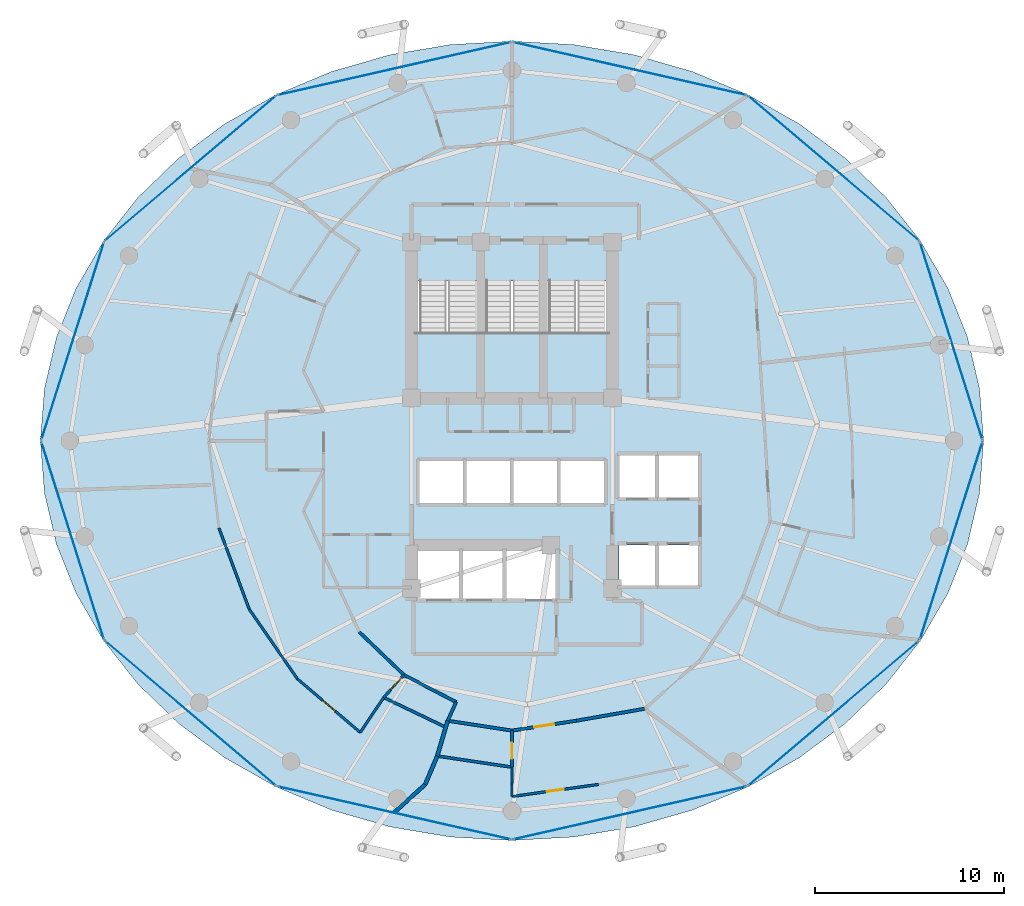
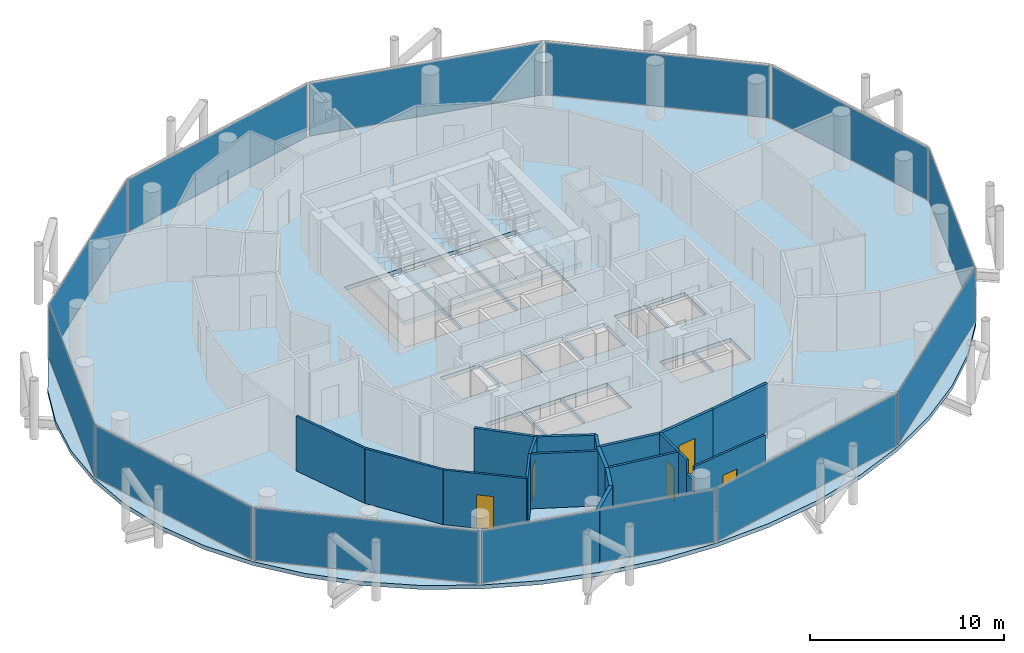
# One storey, part 21 of 26: 20 walls, 12 plates, 5 doors, 4 slabs, 5 openings, 15 elements without a shape of their own.
"""IFC4 building model written with IfcOpenShell, lengths in metres."""

from ifc_helpers import new_model, si_unit, direction, frame, frame_2d, origin, origin_2d, place, context, subcontext, project, spatial, polyline, rectangle, outline, extrude, material, layer, layer_set, type_object, element, fill, aggregate, save


model = new_model("IFC4")

# Units and contexts
model_context = context("Model", 3, precision=1e-05, world=origin(), true_north=direction((0.0, 1.0)))
body_context = subcontext(model_context, "Body", "Model", "MODEL_VIEW")
ifc_project = project(units=[si_unit("LENGTHUNIT", "METRE"), si_unit("AREAUNIT", "SQUARE_METRE"), si_unit("VOLUMEUNIT", "CUBIC_METRE"), si_unit("PLANEANGLEUNIT", "RADIAN"), si_unit("MASSUNIT", "GRAM", prefix="KILO")], contexts=[model_context])

# Site, building, storey
site_placement = place(None, origin())
site = spatial("IfcSite", under=ifc_project, at=site_placement, CompositionType="ELEMENT")
building_placement = place(site_placement, origin())
building = spatial("IfcBuilding", under=site, at=building_placement, Name="Nuhasar Tower", CompositionType="ELEMENT")
storey_placement = place(building_placement, frame((0.0, 0.0, 133.050048828125)))
storey = spatial("IfcBuildingStorey", under=building, at=storey_placement, Name="L31", CompositionType="ELEMENT", Elevation=133.050048828125)

# Curtain wall, plate
ifc_material_1 = material(Name="Aluminium 6063-T6", Category="aluminium")
ifc_layer_1 = layer(ifc_material_1, 0.199951171875)
ifc_layer_set_1 = layer_set([ifc_layer_1], Name="Aluminium 6063-T6")
curtain_wall_type = type_object("IfcCurtainWallType", Name="CW-Z2-HTL", PredefinedType="NOTDEFINED", material=ifc_layer_set_1)
curtain_wall_1_placement = place(storey_placement, origin())
curtain_wall_1 = element("IfcCurtainWall", 1, at=curtain_wall_1_placement, inside=storey, type_object=curtain_wall_type, Name="L31 Unitised Curtain Wall 01", PredefinedType="NOTDEFINED")
ifc_material_2 = material(Name="Glass Double Low-E", Category="glass")
ifc_layer_2 = layer(ifc_material_2, 0.028076171875)
ifc_layer_set_2 = layer_set([ifc_layer_2], Name="Glass Double Low-E")
plate_type = type_object("IfcPlateType", Name="CW-PANEL-GLZ", PredefinedType="CURTAIN_PANEL", material=ifc_layer_set_2)
plate_1_placement = place(storey_placement, frame((62.194580078125, 32.06494140625, 0.06982421875), z_axis=(0.0, 0.0, 1.0), x_axis=(-0.301603667577, 0.953433389233, 0.0)))
plate_1 = element("IfcPlate", 2, at=plate_1_placement, type_object=plate_type, Name="CW-Z2 panel 1.1", PredefinedType="CURTAIN_PANEL", context=body_context, shape_type="SweptSolid", body=[
    extrude(rectangle(XDim=10.904296875, YDim=0.028076171875, at=origin_2d()), origin(), (0.0, 0.0, 1.0), 3.31005859375),
])
aggregate(curtain_wall_1, [plate_1])

curtain_wall_2_placement = place(storey_placement, origin())
curtain_wall_2 = element("IfcCurtainWall", 3, at=curtain_wall_2_placement, inside=storey, type_object=curtain_wall_type, Name="L31 Unitised Curtain Wall 02", PredefinedType="NOTDEFINED")
plate_2_placement = place(storey_placement, frame((55.9794921875, 41.18408203125, 0.06982421875), z_axis=(0.0, 0.0, 1.0), x_axis=(-0.763020370292, 0.646374438324, 0.0)))
plate_2 = element("IfcPlate", 4, at=plate_2_placement, type_object=plate_type, Name="CW-Z2 panel 1.1", PredefinedType="CURTAIN_PANEL", context=body_context, shape_type="SweptSolid", body=[
    extrude(rectangle(XDim=11.784912109375, YDim=0.028076171875, at=origin_2d()), origin(), (0.0, 0.0, 1.0), 3.31005859375),
])
aggregate(curtain_wall_2, [plate_2])

curtain_wall_3_placement = place(storey_placement, origin())
curtain_wall_3 = element("IfcCurtainWall", 5, at=curtain_wall_3_placement, inside=storey, type_object=curtain_wall_type, Name="L31 Unitised Curtain Wall 03", PredefinedType="NOTDEFINED")
plate_3_placement = place(storey_placement, frame((45.215087890625, 46.448974609375, 0.06982421875), z_axis=(0.0, 0.0, 1.0), x_axis=(-0.975183694221, 0.22139729566, 0.0)))
plate_3 = element("IfcPlate", 6, at=plate_3_placement, type_object=plate_type, Name="CW-Z2 panel 1.1", PredefinedType="CURTAIN_PANEL", context=body_context, shape_type="SweptSolid", body=[
    extrude(rectangle(XDim=12.606201171875, YDim=0.028076171875, at=origin_2d()), origin(), (0.0, 0.0, 1.0), 3.31005859375),
])
aggregate(curtain_wall_3, [plate_3])

curtain_wall_4_placement = place(storey_placement, origin())
curtain_wall_4 = element("IfcCurtainWall", 7, at=curtain_wall_4_placement, inside=storey, type_object=curtain_wall_type, Name="L31 Unitised Curtain Wall 04", PredefinedType="NOTDEFINED")
plate_4_placement = place(storey_placement, frame((32.784912109375, 46.448974609375, 0.06982421875), z_axis=(0.0, 0.0, 1.0), x_axis=(-0.975183694221, -0.22139729566, 0.0)))
plate_4 = element("IfcPlate", 8, at=plate_4_placement, type_object=plate_type, Name="CW-Z2 panel 1.1", PredefinedType="CURTAIN_PANEL", context=body_context, shape_type="SweptSolid", body=[
    extrude(rectangle(XDim=12.606201171875, YDim=0.028076171875, at=origin_2d()), origin(), (0.0, 0.0, 1.0), 3.31005859375),
])
aggregate(curtain_wall_4, [plate_4])

curtain_wall_5_placement = place(storey_placement, origin())
curtain_wall_5 = element("IfcCurtainWall", 9, at=curtain_wall_5_placement, inside=storey, type_object=curtain_wall_type, Name="L31 Unitised Curtain Wall 05", PredefinedType="NOTDEFINED")
plate_5_placement = place(storey_placement, frame((22.0205078125, 41.18408203125, 0.06982421875), z_axis=(0.0, 0.0, 1.0), x_axis=(-0.763020370292, -0.646374438324, 0.0)))
plate_5 = element("IfcPlate", 10, at=plate_5_placement, type_object=plate_type, Name="CW-Z2 panel 1.1", PredefinedType="CURTAIN_PANEL", context=body_context, shape_type="SweptSolid", body=[
    extrude(rectangle(XDim=11.784912109375, YDim=0.028076171875, at=origin_2d()), origin(), (0.0, 0.0, 1.0), 3.31005859375),
])
aggregate(curtain_wall_5, [plate_5])

curtain_wall_6_placement = place(storey_placement, origin())
curtain_wall_6 = element("IfcCurtainWall", 11, at=curtain_wall_6_placement, inside=storey, type_object=curtain_wall_type, Name="L31 Unitised Curtain Wall 06", PredefinedType="NOTDEFINED")
plate_6_placement = place(storey_placement, frame((15.805419921875, 32.06494140625, 0.06982421875), z_axis=(0.0, 0.0, 1.0), x_axis=(-0.301603667577, -0.953433389233, 0.0)))
plate_6 = element("IfcPlate", 12, at=plate_6_placement, type_object=plate_type, Name="CW-Z2 panel 1.1", PredefinedType="CURTAIN_PANEL", context=body_context, shape_type="SweptSolid", body=[
    extrude(rectangle(XDim=10.904296875, YDim=0.028076171875, at=origin_2d()), origin(), (0.0, 0.0, 1.0), 3.31005859375),
])
aggregate(curtain_wall_6, [plate_6])

curtain_wall_7_placement = place(storey_placement, origin())
curtain_wall_7 = element("IfcCurtainWall", 13, at=curtain_wall_7_placement, inside=storey, type_object=curtain_wall_type, Name="L31 Unitised Curtain Wall 07", PredefinedType="NOTDEFINED")
plate_7_placement = place(storey_placement, frame((15.805419921875, 21.534912109375, 0.06982421875), z_axis=(0.0, 0.0, 1.0), x_axis=(0.301603667577, -0.953433389233, 0.0)))
plate_7 = element("IfcPlate", 14, at=plate_7_placement, type_object=plate_type, Name="CW-Z2 panel 1.1", PredefinedType="CURTAIN_PANEL", context=body_context, shape_type="SweptSolid", body=[
    extrude(rectangle(XDim=10.904296875, YDim=0.028076171875, at=origin_2d()), origin(), (0.0, 0.0, 1.0), 3.31005859375),
])
aggregate(curtain_wall_7, [plate_7])

curtain_wall_8_placement = place(storey_placement, origin())
curtain_wall_8 = element("IfcCurtainWall", 15, at=curtain_wall_8_placement, inside=storey, type_object=curtain_wall_type, Name="L31 Unitised Curtain Wall 08", PredefinedType="NOTDEFINED")
plate_8_placement = place(storey_placement, frame((22.0205078125, 12.416015625, 0.06982421875), z_axis=(0.0, 0.0, 1.0), x_axis=(0.763020370292, -0.646374438324, 0.0)))
plate_8 = element("IfcPlate", 16, at=plate_8_placement, type_object=plate_type, Name="CW-Z2 panel 1.1", PredefinedType="CURTAIN_PANEL", context=body_context, shape_type="SweptSolid", body=[
    extrude(rectangle(XDim=11.784912109375, YDim=0.028076171875, at=origin_2d()), origin(), (0.0, 0.0, 1.0), 3.31005859375),
])
aggregate(curtain_wall_8, [plate_8])

curtain_wall_9_placement = place(storey_placement, origin())
curtain_wall_9 = element("IfcCurtainWall", 17, at=curtain_wall_9_placement, inside=storey, type_object=curtain_wall_type, Name="L31 Unitised Curtain Wall 09", PredefinedType="NOTDEFINED")
plate_9_placement = place(storey_placement, frame((32.784912109375, 7.15087890625, 0.06982421875), z_axis=(0.0, 0.0, 1.0), x_axis=(0.975183694221, -0.22139729566, 0.0)))
plate_9 = element("IfcPlate", 18, at=plate_9_placement, type_object=plate_type, Name="CW-Z2 panel 1.1", PredefinedType="CURTAIN_PANEL", context=body_context, shape_type="SweptSolid", body=[
    extrude(rectangle(XDim=12.606201171875, YDim=0.028076171875, at=origin_2d()), origin(), (0.0, 0.0, 1.0), 3.31005859375),
])
aggregate(curtain_wall_9, [plate_9])

curtain_wall_10_placement = place(storey_placement, origin())
curtain_wall_10 = element("IfcCurtainWall", 19, at=curtain_wall_10_placement, inside=storey, type_object=curtain_wall_type, Name="L31 Unitised Curtain Wall 10", PredefinedType="NOTDEFINED")
plate_10_placement = place(storey_placement, frame((45.215087890625, 7.15087890625, 0.06982421875), z_axis=(0.0, 0.0, 1.0), x_axis=(0.975183694221, 0.22139729566, 0.0)))
plate_10 = element("IfcPlate", 20, at=plate_10_placement, type_object=plate_type, Name="CW-Z2 panel 1.1", PredefinedType="CURTAIN_PANEL", context=body_context, shape_type="SweptSolid", body=[
    extrude(rectangle(XDim=12.606201171875, YDim=0.028076171875, at=origin_2d()), origin(), (0.0, 0.0, 1.0), 3.31005859375),
])
aggregate(curtain_wall_10, [plate_10])

curtain_wall_11_placement = place(storey_placement, origin())
curtain_wall_11 = element("IfcCurtainWall", 21, at=curtain_wall_11_placement, inside=storey, type_object=curtain_wall_type, Name="L31 Unitised Curtain Wall 11", PredefinedType="NOTDEFINED")
plate_11_placement = place(storey_placement, frame((55.9794921875, 12.416015625, 0.06982421875), z_axis=(0.0, 0.0, 1.0), x_axis=(0.763020370292, 0.646374438324, 0.0)))
plate_11 = element("IfcPlate", 22, at=plate_11_placement, type_object=plate_type, Name="CW-Z2 panel 1.1", PredefinedType="CURTAIN_PANEL", context=body_context, shape_type="SweptSolid", body=[
    extrude(rectangle(XDim=11.784912109375, YDim=0.028076171875, at=origin_2d()), origin(), (0.0, 0.0, 1.0), 3.31005859375),
])
aggregate(curtain_wall_11, [plate_11])

curtain_wall_12_placement = place(storey_placement, origin())
curtain_wall_12 = element("IfcCurtainWall", 23, at=curtain_wall_12_placement, inside=storey, type_object=curtain_wall_type, Name="L31 Unitised Curtain Wall 12", PredefinedType="NOTDEFINED")
plate_12_placement = place(storey_placement, frame((62.194580078125, 21.534912109375, 0.06982421875), z_axis=(0.0, 0.0, 1.0), x_axis=(0.301603667577, 0.953433389233, 0.0)))
plate_12 = element("IfcPlate", 24, at=plate_12_placement, type_object=plate_type, Name="CW-Z2 panel 1.1", PredefinedType="CURTAIN_PANEL", context=body_context, shape_type="SweptSolid", body=[
    extrude(rectangle(XDim=10.904296875, YDim=0.028076171875, at=origin_2d()), origin(), (0.0, 0.0, 1.0), 3.31005859375),
])
aggregate(curtain_wall_12, [plate_12])

# Stair, slab
ifc_material_3 = material(Name="Concrete C45/55", Category="concrete")
stair_type_1 = type_object("IfcStairType", Name="STR-ST-01-2F-22R-1682", PredefinedType="HALF_TURN_STAIR", material=ifc_material_3)
stair_1_placement = place(storey_placement, origin())
stair_1 = element("IfcStair", 25, at=stair_1_placement, inside=storey, type_object=stair_type_1, Name="L31 Exit Stair ST-01", PredefinedType="HALF_TURN_STAIR")
ifc_layer_3 = layer(ifc_material_3, 0.239990234375)
ifc_layer_set_3 = layer_set([ifc_layer_3], Name="Concrete C45/55")
slab_type_1 = type_object("IfcSlabType", Name="SLB-STAIR-LND-240", PredefinedType="LANDING", material=ifc_layer_set_3)
slab_1_placement = place(storey_placement, frame((0.0, 0.0, 1.60986328125)))
slab_1 = element("IfcSlab", 26, at=slab_1_placement, type_object=slab_type_1, Name="ST-01 landing 1", PredefinedType="LANDING", context=body_context, shape_type="SweptSolid", body=[
    extrude(outline(polyline([(33.699951171875, 28.75), (37.35009765625, 28.75), (37.35009765625, 32.52001953125), (33.699951171875, 32.52001953125), (33.699951171875, 28.75)])), origin(), (0.0, 0.0, 1.0), 0.239990234375),
])
aggregate(stair_1, [slab_1])

stair_type_2 = type_object("IfcStairType", Name="STR-ST-03-2F-22R-1682", PredefinedType="HALF_TURN_STAIR", material=ifc_material_3)
stair_2_placement = place(storey_placement, origin())
stair_2 = element("IfcStair", 27, at=stair_2_placement, inside=storey, type_object=stair_type_2, Name="L31 Exit Stair ST-03", PredefinedType="HALF_TURN_STAIR")
slab_2_placement = place(storey_placement, frame((0.0, 0.0, 1.60986328125)))
slab_2 = element("IfcSlab", 28, at=slab_2_placement, type_object=slab_type_1, Name="ST-03 landing 1", PredefinedType="LANDING", context=body_context, shape_type="SweptSolid", body=[
    extrude(outline(polyline([(37.35009765625, 28.75), (40.64990234375, 28.75), (40.64990234375, 32.52001953125), (37.35009765625, 32.52001953125), (37.35009765625, 28.75)])), origin(), (0.0, 0.0, 1.0), 0.239990234375),
])
aggregate(stair_2, [slab_2])

stair_type_3 = type_object("IfcStairType", Name="STR-ST-02-2F-22R-1682", PredefinedType="HALF_TURN_STAIR", material=ifc_material_3)
stair_3_placement = place(storey_placement, origin())
stair_3 = element("IfcStair", 29, at=stair_3_placement, inside=storey, type_object=stair_type_3, Name="L31 Exit Stair ST-02", PredefinedType="HALF_TURN_STAIR")
slab_3_placement = place(storey_placement, frame((0.0, 0.0, 1.60986328125)))
slab_3 = element("IfcSlab", 30, at=slab_3_placement, type_object=slab_type_1, Name="ST-02 landing 1", PredefinedType="LANDING", context=body_context, shape_type="SweptSolid", body=[
    extrude(outline(polyline([(40.64990234375, 28.75), (44.300048828125, 28.75), (44.300048828125, 32.52001953125), (40.64990234375, 32.52001953125), (40.64990234375, 28.75)])), origin(), (0.0, 0.0, 1.0), 0.239990234375),
])
aggregate(stair_3, [slab_3])

# Slab
ifc_layer_4 = layer(ifc_material_3, 0.25)
ifc_layer_set_4 = layer_set([ifc_layer_4], Name="Concrete C45/55")
slab_type_2 = type_object("IfcSlabType", Name="SLB-Z1B-250", PredefinedType="FLOOR", material=ifc_layer_set_4)
slab_4_placement = place(storey_placement, frame((0.0, 0.0, -0.25)))
element("IfcSlab", 31, at=slab_4_placement, inside=storey, type_object=slab_type_2, Name="L31 Structural Slab", PredefinedType="FLOOR", context=body_context, shape_type="SweptSolid", body=[
    extrude(outline(polyline([(63.89990234375, 26.800048828125), (63.68701171875, 29.553955078125), (63.052001953125, 32.260986328125), (62.0048828125, 34.875), (60.56396484375, 37.35009765625), (58.75390625, 39.64501953125), (56.60693359375, 41.719970703125), (54.157958984375, 43.5400390625), (51.449951171875, 45.072998046875), (48.529052734375, 46.2939453125), (45.445068359375, 47.180908203125), (42.25, 47.718994140625), (39.0, 47.89990234375), (35.75, 47.718994140625), (32.554931640625, 47.180908203125), (29.470947265625, 46.2939453125), (26.550048828125, 45.072998046875), (23.842041015625, 43.5400390625), (21.39306640625, 41.719970703125), (19.24609375, 39.64501953125), (17.43603515625, 37.35009765625), (15.9951171875, 34.875), (14.947998046875, 32.260986328125), (14.31298828125, 29.553955078125), (14.10009765625, 26.800048828125), (14.31298828125, 24.0458984375), (14.947998046875, 21.339111328125), (15.9951171875, 18.72509765625), (17.43603515625, 16.25), (19.24609375, 13.955078125), (21.39306640625, 11.8798828125), (23.842041015625, 10.06005859375), (26.550048828125, 8.527099609375), (29.470947265625, 7.305908203125), (32.554931640625, 6.4189453125), (35.75, 5.881103515625), (39.0, 5.699951171875), (42.25, 5.881103515625), (45.445068359375, 6.4189453125), (48.529052734375, 7.305908203125), (51.449951171875, 8.527099609375), (54.157958984375, 10.06005859375), (56.60693359375, 11.8798828125), (58.75390625, 13.955078125), (60.56396484375, 16.25), (62.0048828125, 18.72509765625), (63.052001953125, 21.339111328125), (63.68701171875, 24.0458984375), (63.89990234375, 26.800048828125)]), holes=[polyline([(33.8798828125, 35.25), (37.300048828125, 35.25), (37.300048828125, 29.0), (33.8798828125, 29.0), (33.8798828125, 35.25)]), polyline([(37.39990234375, 35.25), (40.60009765625, 35.25), (40.60009765625, 29.0), (37.39990234375, 29.0), (37.39990234375, 35.25)]), polyline([(40.699951171875, 35.25), (44.1201171875, 35.25), (44.1201171875, 29.0), (40.699951171875, 29.0), (40.699951171875, 35.25)]), polyline([(44.64990234375, 26.050048828125), (46.60009765625, 26.050048828125), (46.60009765625, 23.800048828125), (44.64990234375, 23.800048828125), (44.64990234375, 26.050048828125)]), polyline([(46.699951171875, 26.050048828125), (48.85009765625, 26.050048828125), (48.85009765625, 23.800048828125), (46.699951171875, 23.800048828125), (46.699951171875, 26.050048828125)]), polyline([(44.64990234375, 21.300048828125), (46.60009765625, 21.300048828125), (46.60009765625, 19.14990234375), (44.64990234375, 19.14990234375), (44.64990234375, 21.300048828125)]), polyline([(46.699951171875, 21.300048828125), (48.85009765625, 21.300048828125), (48.85009765625, 19.14990234375), (46.699951171875, 19.14990234375), (46.699951171875, 21.300048828125)]), polyline([(34.10009765625, 25.75), (36.43994140625, 25.75), (36.43994140625, 23.5), (34.10009765625, 23.5), (34.10009765625, 25.75)]), polyline([(36.580078125, 25.75), (38.919921875, 25.75), (38.919921875, 23.5), (36.580078125, 23.5), (36.580078125, 25.75)]), polyline([(39.06005859375, 25.75), (41.39990234375, 25.75), (41.39990234375, 23.5), (39.06005859375, 23.5), (39.06005859375, 25.75)]), polyline([(41.5400390625, 25.75), (43.8798828125, 25.75), (43.8798828125, 23.5), (41.5400390625, 23.5), (41.5400390625, 25.75)]), polyline([(34.050048828125, 21.0), (36.25, 21.0), (36.25, 18.449951171875), (34.050048828125, 18.449951171875), (34.050048828125, 21.0)]), polyline([(36.35009765625, 21.0), (38.550048828125, 21.0), (38.550048828125, 18.449951171875), (36.35009765625, 18.449951171875), (36.35009765625, 21.0)]), polyline([(38.64990234375, 21.0), (41.320068359375, 21.0), (41.320068359375, 18.449951171875), (38.64990234375, 18.449951171875), (38.64990234375, 21.0)])]), origin(), (0.0, 0.0, 1.0), 0.25),
])

# Wall
ifc_material_4 = material(Name="Gypsum Board", Category="gypsum")
ifc_layer_5 = layer(ifc_material_4, 0.159912109375)
ifc_layer_set_5 = layer_set([ifc_layer_5], Name="Gypsum Board")
wall_type_1 = type_object("IfcWallType", Name="WL-CORR-160", PredefinedType="PARTITIONING", material=ifc_layer_set_5)
wall_1_placement = place(storey_placement, frame((35.60400390625, 12.02099609375, 0.0), z_axis=(0.0, 0.0, 1.0), x_axis=(0.988435686542, -0.151640672544, 0.0)))
element("IfcWall", 32, at=wall_1_placement, inside=storey, type_object=wall_type_1, Name="L31 Interior Partition CORR-34", PredefinedType="PARTITIONING", context=body_context, shape_type="SweptSolid", body=[
    extrude(rectangle(XDim=3.435791015625, YDim=0.159912109375, at=frame_2d((1.7177734375, 0.0))), origin(), (0.0, 0.0, 1.0), 3.449951171875),
])

# Wall, opening, door
wall_2_placement = place(storey_placement, frame((42.39599609375, 12.02099609375, 0.0), z_axis=(0.0, 0.0, 1.0), x_axis=(-0.988435686542, -0.151640672544, 0.0)))
wall_2 = element("IfcWall", 33, at=wall_2_placement, inside=storey, type_object=wall_type_1, Name="L31 Interior Partition CORR-36", PredefinedType="PARTITIONING", context=body_context, shape_type="SweptSolid", body=[
    extrude(rectangle(XDim=3.435791015625, YDim=0.159912109375, at=frame_2d((1.7177734375, 0.0))), origin(), (0.0, 0.0, 1.0), 3.449951171875),
])
opening_1_placement = place(wall_2_placement, frame((1.193115234375, 0.0, 0.0)))
opening_1 = element("IfcOpeningElement", 34, at=opening_1_placement, cuts=wall_2, Name="Opening DU-01", PredefinedType="OPENING", context=body_context, shape_type="SweptSolid", body=[
    extrude(rectangle(XDim=1.050048828125, YDim=2.14990234375, at=frame_2d((0.52490234375, 1.074951171875))), frame((0.0, 0.08984375, 0.0), z_axis=(0.0, -1.0, 0.0), x_axis=(1.0, 0.0, 0.0)), (0.0, 0.0, 1.0), 0.179931640625),
])
ifc_material_5 = material(Name="Timber Oak", Category="wood")
door_type_1 = type_object("IfcDoorType", Name="DR-SUITE-FD60-1050", OperationType="NOTDEFINED", PredefinedType="DOOR", material=ifc_material_5)
door_1_placement = place(opening_1_placement, origin())
door_1 = element("IfcDoor", 35, at=door_1_placement, inside=storey, type_object=door_type_1, Name="L31 Red Sea Suite 01 Entrance Door", OperationType="SINGLE_SWING_LEFT", OverallHeight=2.14990234375, OverallWidth=1.050048828125, PredefinedType="DOOR", context=body_context, shape_type="SweptSolid", body=[
    extrude(rectangle(XDim=1.050048828125, YDim=2.14990234375, at=frame_2d((0.52490234375, 1.074951171875))), frame((0.0, 0.02490234375, 0.0), z_axis=(0.0, -1.0, 0.0), x_axis=(1.0, 0.0, 0.0)), (0.0, 0.0, 1.0), 0.050048828125),
])
fill(opening_1, door_1)

# Walls
wall_3_placement = place(storey_placement, frame((42.39599609375, 12.02099609375, 0.0), z_axis=(0.0, 0.0, 1.0), x_axis=(0.984952845055, 0.172823299988, 0.0)))
element("IfcWall", 36, at=wall_3_placement, inside=storey, type_object=wall_type_1, Name="L31 Interior Partition CORR-38", PredefinedType="PARTITIONING", context=body_context, shape_type="SweptSolid", body=[
    extrude(rectangle(XDim=3.6630859375, YDim=0.159912109375, at=frame_2d((1.83154296875, 0.0))), origin(), (0.0, 0.0, 1.0), 3.449951171875),
])
wall_4_placement = place(storey_placement, frame((36.049072265625, 13.007080078125, 0.0), z_axis=(0.0, 0.0, 1.0), x_axis=(-0.411387183407, -0.911460687758, 0.0)))
element("IfcWall", 37, at=wall_4_placement, inside=storey, type_object=wall_type_1, Name="L31 Interior Partition HRAD-34-IN", PredefinedType="PARTITIONING", context=body_context, shape_type="SweptSolid", body=[
    extrude(rectangle(XDim=1.081787109375, YDim=0.159912109375, at=frame_2d((0.541015625, 0.0))), origin(), (0.0, 0.0, 1.0), 3.449951171875),
])
wall_5_placement = place(storey_placement, frame((30.93896484375, 16.702880859375, 0.0), z_axis=(0.0, 0.0, 1.0), x_axis=(0.72090897908, -0.693029756851, 0.0)))
element("IfcWall", 38, at=wall_5_placement, inside=storey, type_object=wall_type_1, Name="L31 Interior Partition HWEST-CORE-S2-30", PredefinedType="PARTITIONING", context=body_context, shape_type="SweptSolid", body=[
    extrude(rectangle(XDim=3.275146484375, YDim=0.159912109375, at=frame_2d((1.6376953125, 0.0))), origin(), (0.0, 0.0, 1.0), 3.449951171875),
])
wall_6_placement = place(storey_placement, frame((33.300048828125, 14.43310546875, 0.0), z_axis=(0.0, 0.0, 1.0), x_axis=(0.887674575788, -0.460471331898, 0.0)))
element("IfcWall", 39, at=wall_6_placement, inside=storey, type_object=wall_type_1, Name="L31 Interior Partition HWEST-CORE-S2-32", PredefinedType="PARTITIONING", context=body_context, shape_type="SweptSolid", body=[
    extrude(rectangle(XDim=3.096923828125, YDim=0.159912109375, at=frame_2d((1.54833984375, 0.0))), origin(), (0.0, 0.0, 1.0), 3.449951171875),
])
ifc_layer_6 = layer(ifc_material_4, 0.125)
ifc_layer_set_6 = layer_set([ifc_layer_6], Name="Gypsum Board")
wall_type_2 = type_object("IfcWallType", Name="WL-PART-125", PredefinedType="PARTITIONING", material=ifc_layer_set_6)
wall_7_placement = place(storey_placement, frame((39.0, 9.570068359375, 0.0), z_axis=(0.0, 0.0, 1.0), x_axis=(0.0, -1.0, 0.0)))
element("IfcWall", 40, at=wall_7_placement, inside=storey, type_object=wall_type_2, Name="L31 Interior Partition HBS-01", PredefinedType="PARTITIONING", context=body_context, shape_type="SweptSolid", body=[
    extrude(rectangle(XDim=0.880126953125, YDim=0.125, at=frame_2d((0.43994140625, 0.0))), origin(), (0.0, 0.0, 1.0), 3.449951171875),
])
wall_8_placement = place(storey_placement, frame((39.0, 8.68994140625, 0.0), z_axis=(0.0, 0.0, 1.0), x_axis=(0.0, -1.0, 0.0)))
element("IfcWall", 41, at=wall_8_placement, inside=storey, type_object=wall_type_2, Name="L31 Interior Partition HBS-01", PredefinedType="PARTITIONING", context=body_context, shape_type="SweptSolid", body=[
    extrude(rectangle(XDim=0.669921875, YDim=0.125, at=frame_2d((0.3349609375, 0.0))), origin(), (0.0, 0.0, 1.0), 2.58984375),
])

# Wall, opening, door
wall_9_placement = place(storey_placement, frame((43.5810546875, 8.659912109375, 0.0), z_axis=(0.0, 0.0, 1.0), x_axis=(-0.990384892578, -0.138339309499, 0.0)))
wall_9 = element("IfcWall", 42, at=wall_9_placement, inside=storey, type_object=wall_type_2, Name="L31 Interior Partition HSAL-01-36", PredefinedType="PARTITIONING", context=body_context, shape_type="SweptSolid", body=[
    extrude(rectangle(XDim=4.62548828125, YDim=0.125, at=frame_2d((2.312744140625, 0.0))), origin(), (0.0, 0.0, 1.0), 3.449951171875),
])
opening_2_placement = place(wall_9_placement, frame((1.863037109375, 0.0, 0.0)))
opening_2 = element("IfcOpeningElement", 43, at=opening_2_placement, cuts=wall_9, Name="Opening DR-01", PredefinedType="OPENING", context=body_context, shape_type="SweptSolid", body=[
    extrude(rectangle(XDim=0.89990234375, YDim=2.10009765625, at=frame_2d((0.449951171875, 1.050048828125))), frame((0.0, 0.072509765625, 0.0), z_axis=(0.0, -1.0, 0.0), x_axis=(1.0, 0.0, 0.0)), (0.0, 0.0, 1.0), 0.14501953125),
])
door_type_2 = type_object("IfcDoorType", Name="DR-ROOM-900", OperationType="NOTDEFINED", PredefinedType="DOOR", material=ifc_material_5)
door_2_placement = place(opening_2_placement, origin())
door_2 = element("IfcDoor", 44, at=door_2_placement, inside=storey, type_object=door_type_2, Name="L31 Red Sea Suite 01 Bedroom Door", OperationType="SINGLE_SWING_LEFT", OverallHeight=2.10009765625, OverallWidth=0.89990234375, PredefinedType="DOOR", context=body_context, shape_type="SweptSolid", body=[
    extrude(rectangle(XDim=0.89990234375, YDim=2.10009765625, at=frame_2d((0.449951171875, 1.050048828125))), frame((0.0, 0.02490234375, 0.0), z_axis=(0.0, -1.0, 0.0), x_axis=(1.0, 0.0, 0.0)), (0.0, 0.0, 1.0), 0.050048828125),
])
fill(opening_2, door_2)

# Walls
wall_10_placement = place(storey_placement, frame((32.22509765625, 13.2470703125, 0.0), z_axis=(0.0, 0.0, 1.0), x_axis=(-0.556297850913, -0.830982972791, 0.0)))
element("IfcWall", 45, at=wall_10_placement, inside=storey, type_object=wall_type_2, Name="L31 Interior Partition HWS2-N", PredefinedType="PARTITIONING", context=body_context, shape_type="SweptSolid", body=[
    extrude(rectangle(XDim=2.22021484375, YDim=0.125, at=frame_2d((1.110107421875, 0.0))), origin(), (0.0, 0.0, 1.0), 3.449951171875),
])
wall_11_placement = place(storey_placement, frame((23.52587890625, 22.197998046875, 0.0), z_axis=(0.0, 0.0, 1.0), x_axis=(0.349603098964, -0.936897899024, 0.0)))
element("IfcWall", 46, at=wall_11_placement, inside=storey, type_object=wall_type_2, Name="L31 Interior Partition HWS2-ARC-26", PredefinedType="PARTITIONING", context=body_context, shape_type="SweptSolid", body=[
    extrude(rectangle(XDim=4.576904296875, YDim=0.125, at=frame_2d((2.28857421875, 0.0))), origin(), (0.0, 0.0, 1.0), 3.449951171875),
])
wall_12_placement = place(storey_placement, frame((25.1259765625, 17.909912109375, 0.0), z_axis=(0.0, 0.0, 1.0), x_axis=(0.568778830708, -0.822490511641, 0.0)))
element("IfcWall", 47, at=wall_12_placement, inside=storey, type_object=wall_type_2, Name="L31 Interior Partition HWS2-ARC-28", PredefinedType="PARTITIONING", context=body_context, shape_type="SweptSolid", body=[
    extrude(rectangle(XDim=4.4765625, YDim=0.125, at=frame_2d((2.23828125, 0.0))), origin(), (0.0, 0.0, 1.0), 3.449951171875),
])

# Wall, opening, door
wall_13_placement = place(storey_placement, frame((27.672119140625, 14.22802734375, 0.0), z_axis=(0.0, 0.0, 1.0), x_axis=(0.76128931679, -0.648412350393, 0.0)))
wall_13 = element("IfcWall", 48, at=wall_13_placement, inside=storey, type_object=wall_type_2, Name="L31 Interior Partition HWS2-ARC-30", PredefinedType="PARTITIONING", context=body_context, shape_type="SweptSolid", body=[
    extrude(rectangle(XDim=4.358154296875, YDim=0.125, at=frame_2d((2.17919921875, 0.0))), origin(), (0.0, 0.0, 1.0), 3.449951171875),
])
opening_3_placement = place(wall_13_placement, frame((1.72900390625, 0.0, 0.0)))
opening_3 = element("IfcOpeningElement", 49, at=opening_3_placement, cuts=wall_13, Name="Opening DR-01", PredefinedType="OPENING", context=body_context, shape_type="SweptSolid", body=[
    extrude(rectangle(XDim=0.89990234375, YDim=2.10009765625, at=frame_2d((0.449951171875, 1.050048828125))), frame((0.0, 0.072509765625, 0.0), z_axis=(0.0, -1.0, 0.0), x_axis=(1.0, 0.0, 0.0)), (0.0, 0.0, 1.0), 0.14501953125),
])
door_3_placement = place(opening_3_placement, origin())
door_3 = element("IfcDoor", 50, at=door_3_placement, inside=storey, type_object=door_type_2, Name="L31 South-West Presidential Suite Bedroom Door", OperationType="SINGLE_SWING_LEFT", OverallHeight=2.10009765625, OverallWidth=0.89990234375, PredefinedType="DOOR", context=body_context, shape_type="SweptSolid", body=[
    extrude(rectangle(XDim=0.89990234375, YDim=2.10009765625, at=frame_2d((0.449951171875, 1.050048828125))), frame((0.0, 0.02490234375, 0.0), z_axis=(0.0, -1.0, 0.0), x_axis=(1.0, 0.0, 0.0)), (0.0, 0.0, 1.0), 0.050048828125),
])
fill(opening_3, door_3)

# Walls
ifc_material_6 = material(Name="Concrete C40/50 precast", Category="concrete")
ifc_layer_7 = layer(ifc_material_6, 0.199951171875)
ifc_layer_set_7 = layer_set([ifc_layer_7], Name="Concrete C40/50 precast")
wall_type_3 = type_object("IfcWallType", Name="WL-UNIT-200", PredefinedType="PARTITIONING", material=ifc_layer_set_7)
wall_14_placement = place(storey_placement, frame((35.60400390625, 12.02099609375, 0.0), z_axis=(0.0, 0.0, 1.0), x_axis=(-0.283485285535, -0.958976586203, 0.0)))
element("IfcWall", 51, at=wall_14_placement, inside=storey, type_object=wall_type_3, Name="L31 Interior Partition HRAD-34-OUT-S1", PredefinedType="PARTITIONING", context=body_context, shape_type="SweptSolid", body=[
    extrude(rectangle(XDim=1.94384765625, YDim=0.199951171875, at=frame_2d((0.971923828125, 0.0))), origin(), (0.0, 0.0, 1.0), 3.449951171875),
])
wall_15_placement = place(storey_placement, frame((35.052978515625, 10.156982421875, 0.0), z_axis=(0.0, 0.0, 1.0), x_axis=(-0.389982878965, -0.920822107746, 0.0)))
element("IfcWall", 52, at=wall_15_placement, inside=storey, type_object=wall_type_3, Name="L31 Interior Partition HRAD-34-OUT-S2", PredefinedType="PARTITIONING", context=body_context, shape_type="SweptSolid", body=[
    extrude(rectangle(XDim=1.625732421875, YDim=0.199951171875, at=frame_2d((0.81298828125, 0.0))), origin(), (0.0, 0.0, 1.0), 3.449951171875),
])
wall_16_placement = place(storey_placement, frame((34.4189453125, 8.659912109375, 0.0), z_axis=(0.0, 0.0, 1.0), x_axis=(-0.740267097712, -0.672312891476, 0.0)))
element("IfcWall", 53, at=wall_16_placement, inside=storey, type_object=wall_type_3, Name="L31 Interior Partition HRAD-34-OUT-S3", PredefinedType="PARTITIONING", context=body_context, shape_type="SweptSolid", body=[
    extrude(rectangle(XDim=2.195068359375, YDim=0.199951171875, at=frame_2d((1.09765625, 0.0))), origin(), (0.0, 0.0, 1.0), 3.449951171875),
])

# Wall, opening, door
ifc_layer_8 = layer(ifc_material_6, 0.139892578125)
ifc_layer_set_8 = layer_set([ifc_layer_8], Name="Concrete C40/50 precast")
wall_type_4 = type_object("IfcWallType", Name="WL-WET-140", PredefinedType="PARTITIONING", material=ifc_layer_set_8)
wall_17_placement = place(storey_placement, frame((39.0, 11.5, 0.0), z_axis=(0.0, 0.0, 1.0), x_axis=(0.0, -1.0, 0.0)))
wall_17 = element("IfcWall", 54, at=wall_17_placement, inside=storey, type_object=wall_type_4, Name="L31 Interior Partition HBW-01", PredefinedType="PARTITIONING", context=body_context, shape_type="SweptSolid", body=[
    extrude(rectangle(XDim=1.929931640625, YDim=0.139892578125, at=frame_2d((0.96484375, 0.0))), origin(), (0.0, 0.0, 1.0), 3.449951171875),
])
opening_4_placement = place(wall_17_placement, frame((0.635986328125, 0.0, 0.0)))
opening_4 = element("IfcOpeningElement", 55, at=opening_4_placement, cuts=wall_17, Name="Opening DB-01", PredefinedType="OPENING", context=body_context, shape_type="SweptSolid", body=[
    extrude(rectangle(XDim=0.85009765625, YDim=2.10009765625, at=frame_2d((0.425048828125, 1.050048828125))), frame((0.0, 0.080078125, 0.0), z_axis=(0.0, -1.0, 0.0), x_axis=(1.0, 0.0, 0.0)), (0.0, 0.0, 1.0), 0.159912109375),
])
door_type_3 = type_object("IfcDoorType", Name="DR-BATH-850", OperationType="NOTDEFINED", PredefinedType="DOOR", material=ifc_material_5)
door_4_placement = place(opening_4_placement, origin())
door_4 = element("IfcDoor", 56, at=door_4_placement, inside=storey, type_object=door_type_3, Name="L31 Red Sea Suite 01 En-Suite Door", OperationType="SINGLE_SWING_RIGHT", OverallHeight=2.10009765625, OverallWidth=0.85009765625, PredefinedType="DOOR", context=body_context, shape_type="SweptSolid", body=[
    extrude(rectangle(XDim=0.85009765625, YDim=2.10009765625, at=frame_2d((0.425048828125, 1.050048828125))), frame((0.0, 0.02490234375, 0.0), z_axis=(0.0, -1.0, 0.0), x_axis=(1.0, 0.0, 0.0)), (0.0, 0.0, 1.0), 0.050048828125),
])
fill(opening_4, door_4)

# Wall
wall_18_placement = place(storey_placement, frame((35.052978515625, 10.156982421875, 0.0), z_axis=(0.0, 0.0, 1.0), x_axis=(0.989124481054, -0.147080797455, 0.0)))
element("IfcWall", 57, at=wall_18_placement, inside=storey, type_object=wall_type_4, Name="L31 Interior Partition HBF-01-34", PredefinedType="PARTITIONING", context=body_context, shape_type="SweptSolid", body=[
    extrude(rectangle(XDim=3.990478515625, YDim=0.139892578125, at=frame_2d((1.9951171875, 0.0))), origin(), (0.0, 0.0, 1.0), 3.449951171875),
])

# Wall, opening, door
wall_19_placement = place(storey_placement, frame((33.300048828125, 14.43310546875, 0.0), z_axis=(0.0, 0.0, 1.0), x_axis=(-0.671556062003, -0.740953747266, 0.0)))
wall_19 = element("IfcWall", 58, at=wall_19_placement, inside=storey, type_object=wall_type_4, Name="L31 Interior Partition HBW2-N", PredefinedType="PARTITIONING", context=body_context, shape_type="SweptSolid", body=[
    extrude(rectangle(XDim=1.6005859375, YDim=0.139892578125, at=frame_2d((0.80029296875, 0.0))), origin(), (0.0, 0.0, 1.0), 3.449951171875),
])
opening_5_placement = place(wall_19_placement, frame((0.199951171875, 0.0, 0.0)))
opening_5 = element("IfcOpeningElement", 59, at=opening_5_placement, cuts=wall_19, Name="Opening DB-01", PredefinedType="OPENING", context=body_context, shape_type="SweptSolid", body=[
    extrude(rectangle(XDim=0.85009765625, YDim=2.10009765625, at=frame_2d((0.425048828125, 1.050048828125))), frame((0.0, 0.080078125, 0.0), z_axis=(0.0, -1.0, 0.0), x_axis=(1.0, 0.0, 0.0)), (0.0, 0.0, 1.0), 0.159912109375),
])
door_5_placement = place(opening_5_placement, origin())
door_5 = element("IfcDoor", 60, at=door_5_placement, inside=storey, type_object=door_type_3, Name="L31 South-West Presidential Suite En-Suite Door", OperationType="SINGLE_SWING_LEFT", OverallHeight=2.10009765625, OverallWidth=0.85009765625, PredefinedType="DOOR", context=body_context, shape_type="SweptSolid", body=[
    extrude(rectangle(XDim=0.85009765625, YDim=2.10009765625, at=frame_2d((0.425048828125, 1.050048828125))), frame((0.0, 0.02490234375, 0.0), z_axis=(0.0, -1.0, 0.0), x_axis=(1.0, 0.0, 0.0)), (0.0, 0.0, 1.0), 0.050048828125),
])
fill(opening_5, door_5)

# Wall
wall_20_placement = place(storey_placement, frame((32.22509765625, 13.2470703125, 0.0), z_axis=(0.0, 0.0, 1.0), x_axis=(0.902016722043, -0.431701092372, 0.0)))
element("IfcWall", 61, at=wall_20_placement, inside=storey, type_object=wall_type_4, Name="L31 Interior Partition HBW2-E", PredefinedType="PARTITIONING", context=body_context, shape_type="SweptSolid", body=[
    extrude(rectangle(XDim=3.622802734375, YDim=0.139892578125, at=frame_2d((1.8115234375, 0.0))), origin(), (0.0, 0.0, 1.0), 3.449951171875),
])

save(model, "model.ifc")
